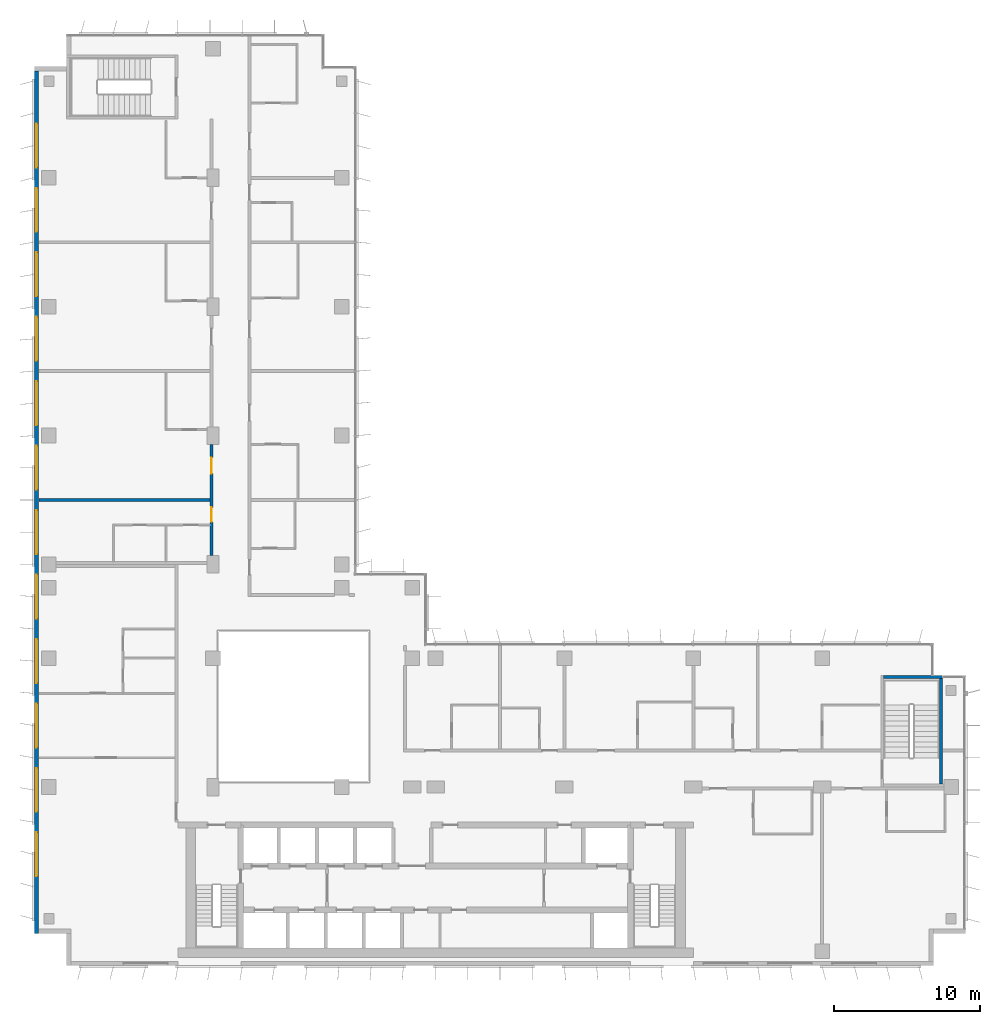
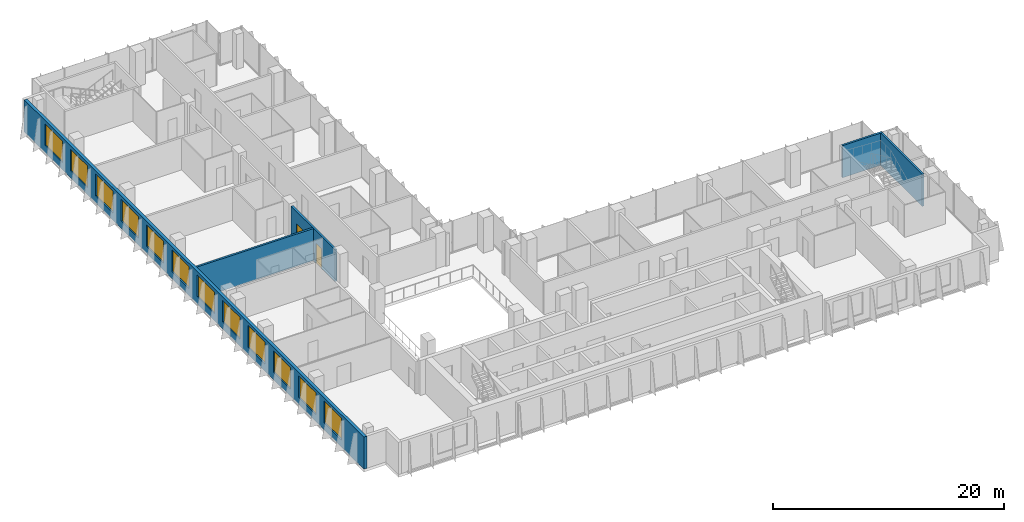
# One storey, part 15 of 20: 12 windows, 5 walls, 2 doors, 14 openings.
"""IFC4 building model written with IfcOpenShell, lengths in metres."""

from ifc_helpers import new_model, si_unit, direction, frame, frame_2d, origin, place, context, subcontext, project, spatial, rectangle, extrude, material, layer, layer_set, type_object, element, fill, save


model = new_model("IFC4")

# Units and contexts
model_context = context("Model", 3, precision=1e-05, world=origin(), true_north=direction((0.0, 1.0)))
body_context = subcontext(model_context, "Body", "Model", "MODEL_VIEW")
ifc_project = project(units=[si_unit("LENGTHUNIT", "METRE"), si_unit("AREAUNIT", "SQUARE_METRE"), si_unit("VOLUMEUNIT", "CUBIC_METRE"), si_unit("PLANEANGLEUNIT", "RADIAN"), si_unit("MASSUNIT", "GRAM", prefix="KILO")], contexts=[model_context])

# Site, building, storey
site_placement = place(None, origin())
site = spatial("IfcSite", under=ifc_project, at=site_placement, CompositionType="ELEMENT")
building_placement = place(site_placement, origin())
building = spatial("IfcBuilding", under=site, at=building_placement, Name="Kemantara Hotel Tower", CompositionType="ELEMENT")
storey_placement = place(building_placement, frame((0.0, 0.0, 186.39990234375)))
storey = spatial("IfcBuildingStorey", under=building, at=storey_placement, Name="L46", CompositionType="ELEMENT", Elevation=186.39990234375)

# Wall, openings, windows
ifc_material_1 = material(Name="Bronze anodised aluminium cladding on insulated steel stud wall", Category="steel")
ifc_layer_1 = layer(ifc_material_1, 0.300048828125)
ifc_layer_set_1 = layer_set([ifc_layer_1], Name="Bronze anodised aluminium cladding on insulated steel stud wall")
wall_type_1 = type_object("IfcWallType", Name="BRONZE METAL-CLAD EXTERNAL WALL 300", PredefinedType="STANDARD", material=ifc_layer_set_1)
wall_1_placement = place(storey_placement, frame((0.14990234375, 61.10009765625, 0.0), z_axis=(0.0, 0.0, 1.0), x_axis=(0.0, -1.0, 0.0)))
wall_1 = element("IfcWall", 1, at=wall_1_placement, inside=storey, type_object=wall_type_1, Name="EXTERNAL WALL L46 T3-R05", PredefinedType="STANDARD", context=body_context, shape_type="SweptSolid", body=[
    extrude(rectangle(XDim=58.900146484375, YDim=0.300048828125, at=frame_2d((29.4501953125, 0.0))), origin(), (0.0, 0.0, 1.0), 3.400146484375),
])
opening_1_placement = place(wall_1_placement, frame((3.60009765625, 0.0, 0.75)))
opening_1 = element("IfcOpeningElement", 2, at=opening_1_placement, cuts=wall_1, Name="Opening W1", PredefinedType="OPENING", context=body_context, shape_type="SweptSolid", body=[
    extrude(rectangle(XDim=3.0, YDim=2.300048828125, at=frame_2d((1.5, 1.14990234375))), frame((0.0, 0.159912109375, 0.0), z_axis=(0.0, -1.0, 0.0), x_axis=(1.0, 0.0, 0.0)), (0.0, 0.0, 1.0), 0.320068359375),
])
opening_2_placement = place(wall_1_placement, frame((8.0, 0.0, 0.75)))
opening_2 = element("IfcOpeningElement", 3, at=opening_2_placement, cuts=wall_1, Name="Opening W1", PredefinedType="OPENING", context=body_context, shape_type="SweptSolid", body=[
    extrude(rectangle(XDim=3.0, YDim=2.300048828125, at=frame_2d((1.5, 1.14990234375))), frame((0.0, 0.159912109375, 0.0), z_axis=(0.0, -1.0, 0.0), x_axis=(1.0, 0.0, 0.0)), (0.0, 0.0, 1.0), 0.320068359375),
])
opening_3_placement = place(wall_1_placement, frame((12.39990234375, 0.0, 0.75)))
opening_3 = element("IfcOpeningElement", 4, at=opening_3_placement, cuts=wall_1, Name="Opening W1", PredefinedType="OPENING", context=body_context, shape_type="SweptSolid", body=[
    extrude(rectangle(XDim=3.0, YDim=2.300048828125, at=frame_2d((1.5, 1.14990234375))), frame((0.0, 0.159912109375, 0.0), z_axis=(0.0, -1.0, 0.0), x_axis=(1.0, 0.0, 0.0)), (0.0, 0.0, 1.0), 0.320068359375),
])
opening_4_placement = place(wall_1_placement, frame((16.800048828125, 0.0, 0.75)))
opening_4 = element("IfcOpeningElement", 5, at=opening_4_placement, cuts=wall_1, Name="Opening W1", PredefinedType="OPENING", context=body_context, shape_type="SweptSolid", body=[
    extrude(rectangle(XDim=3.0, YDim=2.300048828125, at=frame_2d((1.5, 1.14990234375))), frame((0.0, 0.159912109375, 0.0), z_axis=(0.0, -1.0, 0.0), x_axis=(1.0, 0.0, 0.0)), (0.0, 0.0, 1.0), 0.320068359375),
])
opening_5_placement = place(wall_1_placement, frame((21.199951171875, 0.0, 0.75)))
opening_5 = element("IfcOpeningElement", 6, at=opening_5_placement, cuts=wall_1, Name="Opening W1", PredefinedType="OPENING", context=body_context, shape_type="SweptSolid", body=[
    extrude(rectangle(XDim=3.0, YDim=2.300048828125, at=frame_2d((1.5, 1.14990234375))), frame((0.0, 0.159912109375, 0.0), z_axis=(0.0, -1.0, 0.0), x_axis=(1.0, 0.0, 0.0)), (0.0, 0.0, 1.0), 0.320068359375),
])
opening_6_placement = place(wall_1_placement, frame((25.60009765625, 0.0, 0.75)))
opening_6 = element("IfcOpeningElement", 7, at=opening_6_placement, cuts=wall_1, Name="Opening W1", PredefinedType="OPENING", context=body_context, shape_type="SweptSolid", body=[
    extrude(rectangle(XDim=3.0, YDim=2.300048828125, at=frame_2d((1.5, 1.14990234375))), frame((0.0, 0.159912109375, 0.0), z_axis=(0.0, -1.0, 0.0), x_axis=(1.0, 0.0, 0.0)), (0.0, 0.0, 1.0), 0.320068359375),
])
opening_7_placement = place(wall_1_placement, frame((30.0, 0.0, 0.75)))
opening_7 = element("IfcOpeningElement", 8, at=opening_7_placement, cuts=wall_1, Name="Opening W1", PredefinedType="OPENING", context=body_context, shape_type="SweptSolid", body=[
    extrude(rectangle(XDim=3.0, YDim=2.300048828125, at=frame_2d((1.5, 1.14990234375))), frame((0.0, 0.159912109375, 0.0), z_axis=(0.0, -1.0, 0.0), x_axis=(1.0, 0.0, 0.0)), (0.0, 0.0, 1.0), 0.320068359375),
])
opening_8_placement = place(wall_1_placement, frame((34.39990234375, 0.0, 0.75)))
opening_8 = element("IfcOpeningElement", 9, at=opening_8_placement, cuts=wall_1, Name="Opening W1", PredefinedType="OPENING", context=body_context, shape_type="SweptSolid", body=[
    extrude(rectangle(XDim=3.0, YDim=2.300048828125, at=frame_2d((1.5, 1.14990234375))), frame((0.0, 0.159912109375, 0.0), z_axis=(0.0, -1.0, 0.0), x_axis=(1.0, 0.0, 0.0)), (0.0, 0.0, 1.0), 0.320068359375),
])
opening_9_placement = place(wall_1_placement, frame((38.800048828125, 0.0, 0.75)))
opening_9 = element("IfcOpeningElement", 10, at=opening_9_placement, cuts=wall_1, Name="Opening W1", PredefinedType="OPENING", context=body_context, shape_type="SweptSolid", body=[
    extrude(rectangle(XDim=3.0, YDim=2.300048828125, at=frame_2d((1.5, 1.14990234375))), frame((0.0, 0.159912109375, 0.0), z_axis=(0.0, -1.0, 0.0), x_axis=(1.0, 0.0, 0.0)), (0.0, 0.0, 1.0), 0.320068359375),
])
opening_10_placement = place(wall_1_placement, frame((43.199951171875, 0.0, 0.75)))
opening_10 = element("IfcOpeningElement", 11, at=opening_10_placement, cuts=wall_1, Name="Opening W1", PredefinedType="OPENING", context=body_context, shape_type="SweptSolid", body=[
    extrude(rectangle(XDim=3.0, YDim=2.300048828125, at=frame_2d((1.5, 1.14990234375))), frame((0.0, 0.159912109375, 0.0), z_axis=(0.0, -1.0, 0.0), x_axis=(1.0, 0.0, 0.0)), (0.0, 0.0, 1.0), 0.320068359375),
])
opening_11_placement = place(wall_1_placement, frame((47.60009765625, 0.0, 0.75)))
opening_11 = element("IfcOpeningElement", 12, at=opening_11_placement, cuts=wall_1, Name="Opening W1", PredefinedType="OPENING", context=body_context, shape_type="SweptSolid", body=[
    extrude(rectangle(XDim=3.0, YDim=2.300048828125, at=frame_2d((1.5, 1.14990234375))), frame((0.0, 0.159912109375, 0.0), z_axis=(0.0, -1.0, 0.0), x_axis=(1.0, 0.0, 0.0)), (0.0, 0.0, 1.0), 0.320068359375),
])
opening_12_placement = place(wall_1_placement, frame((52.0, 0.0, 0.75)))
opening_12 = element("IfcOpeningElement", 13, at=opening_12_placement, cuts=wall_1, Name="Opening W1", PredefinedType="OPENING", context=body_context, shape_type="SweptSolid", body=[
    extrude(rectangle(XDim=3.0, YDim=2.300048828125, at=frame_2d((1.5, 1.14990234375))), frame((0.0, 0.159912109375, 0.0), z_axis=(0.0, -1.0, 0.0), x_axis=(1.0, 0.0, 0.0)), (0.0, 0.0, 1.0), 0.320068359375),
])
ifc_material_2 = material(Name="Low-E tinted double insulated glass in bronze anodised aluminium frame", Category="aluminium")
window_type = type_object("IfcWindowType", Name="CHICAGO WINDOW, TRIPLE PANEL 3000x2300", PartitioningType="TRIPLE_PANEL_VERTICAL", PredefinedType="WINDOW", material=ifc_material_2)
window_1_placement = place(opening_1_placement, origin())
window_1 = element("IfcWindow", 14, at=window_1_placement, inside=storey, type_object=window_type, Name="CHICAGO WINDOW L46 T3-R05-54", OverallHeight=2.300048828125, OverallWidth=3.0, PartitioningType="SINGLE_PANEL", PredefinedType="WINDOW", context=body_context, shape_type="SweptSolid", body=[
    extrude(rectangle(XDim=3.0, YDim=2.300048828125, at=frame_2d((1.5, 1.14990234375))), frame((0.0, 0.030029296875, 0.0), z_axis=(0.0, -1.0, 0.0), x_axis=(1.0, 0.0, 0.0)), (0.0, 0.0, 1.0), 0.06005859375),
])
fill(opening_1, window_1)
window_2_placement = place(opening_2_placement, origin())
window_2 = element("IfcWindow", 15, at=window_2_placement, inside=storey, type_object=window_type, Name="CHICAGO WINDOW L46 T3-R05-98", OverallHeight=2.300048828125, OverallWidth=3.0, PartitioningType="SINGLE_PANEL", PredefinedType="WINDOW", context=body_context, shape_type="SweptSolid", body=[
    extrude(rectangle(XDim=3.0, YDim=2.300048828125, at=frame_2d((1.5, 1.14990234375))), frame((0.0, 0.030029296875, 0.0), z_axis=(0.0, -1.0, 0.0), x_axis=(1.0, 0.0, 0.0)), (0.0, 0.0, 1.0), 0.06005859375),
])
fill(opening_2, window_2)
window_3_placement = place(opening_3_placement, origin())
window_3 = element("IfcWindow", 16, at=window_3_placement, inside=storey, type_object=window_type, Name="CHICAGO WINDOW L46 T3-R05-142", OverallHeight=2.300048828125, OverallWidth=3.0, PartitioningType="SINGLE_PANEL", PredefinedType="WINDOW", context=body_context, shape_type="SweptSolid", body=[
    extrude(rectangle(XDim=3.0, YDim=2.300048828125, at=frame_2d((1.5, 1.14990234375))), frame((0.0, 0.030029296875, 0.0), z_axis=(0.0, -1.0, 0.0), x_axis=(1.0, 0.0, 0.0)), (0.0, 0.0, 1.0), 0.06005859375),
])
fill(opening_3, window_3)
window_4_placement = place(opening_4_placement, origin())
window_4 = element("IfcWindow", 17, at=window_4_placement, inside=storey, type_object=window_type, Name="CHICAGO WINDOW L46 T3-R05-186", OverallHeight=2.300048828125, OverallWidth=3.0, PartitioningType="SINGLE_PANEL", PredefinedType="WINDOW", context=body_context, shape_type="SweptSolid", body=[
    extrude(rectangle(XDim=3.0, YDim=2.300048828125, at=frame_2d((1.5, 1.14990234375))), frame((0.0, 0.030029296875, 0.0), z_axis=(0.0, -1.0, 0.0), x_axis=(1.0, 0.0, 0.0)), (0.0, 0.0, 1.0), 0.06005859375),
])
fill(opening_4, window_4)
window_5_placement = place(opening_5_placement, origin())
window_5 = element("IfcWindow", 18, at=window_5_placement, inside=storey, type_object=window_type, Name="CHICAGO WINDOW L46 T3-R05-230", OverallHeight=2.300048828125, OverallWidth=3.0, PartitioningType="SINGLE_PANEL", PredefinedType="WINDOW", context=body_context, shape_type="SweptSolid", body=[
    extrude(rectangle(XDim=3.0, YDim=2.300048828125, at=frame_2d((1.5, 1.14990234375))), frame((0.0, 0.030029296875, 0.0), z_axis=(0.0, -1.0, 0.0), x_axis=(1.0, 0.0, 0.0)), (0.0, 0.0, 1.0), 0.06005859375),
])
fill(opening_5, window_5)
window_6_placement = place(opening_6_placement, origin())
window_6 = element("IfcWindow", 19, at=window_6_placement, inside=storey, type_object=window_type, Name="CHICAGO WINDOW L46 T3-R05-274", OverallHeight=2.300048828125, OverallWidth=3.0, PartitioningType="SINGLE_PANEL", PredefinedType="WINDOW", context=body_context, shape_type="SweptSolid", body=[
    extrude(rectangle(XDim=3.0, YDim=2.300048828125, at=frame_2d((1.5, 1.14990234375))), frame((0.0, 0.030029296875, 0.0), z_axis=(0.0, -1.0, 0.0), x_axis=(1.0, 0.0, 0.0)), (0.0, 0.0, 1.0), 0.06005859375),
])
fill(opening_6, window_6)
window_7_placement = place(opening_7_placement, origin())
window_7 = element("IfcWindow", 20, at=window_7_placement, inside=storey, type_object=window_type, Name="CHICAGO WINDOW L46 T3-R05-318", OverallHeight=2.300048828125, OverallWidth=3.0, PartitioningType="SINGLE_PANEL", PredefinedType="WINDOW", context=body_context, shape_type="SweptSolid", body=[
    extrude(rectangle(XDim=3.0, YDim=2.300048828125, at=frame_2d((1.5, 1.14990234375))), frame((0.0, 0.030029296875, 0.0), z_axis=(0.0, -1.0, 0.0), x_axis=(1.0, 0.0, 0.0)), (0.0, 0.0, 1.0), 0.06005859375),
])
fill(opening_7, window_7)
window_8_placement = place(opening_8_placement, origin())
window_8 = element("IfcWindow", 21, at=window_8_placement, inside=storey, type_object=window_type, Name="CHICAGO WINDOW L46 T3-R05-362", OverallHeight=2.300048828125, OverallWidth=3.0, PartitioningType="SINGLE_PANEL", PredefinedType="WINDOW", context=body_context, shape_type="SweptSolid", body=[
    extrude(rectangle(XDim=3.0, YDim=2.300048828125, at=frame_2d((1.5, 1.14990234375))), frame((0.0, 0.030029296875, 0.0), z_axis=(0.0, -1.0, 0.0), x_axis=(1.0, 0.0, 0.0)), (0.0, 0.0, 1.0), 0.06005859375),
])
fill(opening_8, window_8)
window_9_placement = place(opening_9_placement, origin())
window_9 = element("IfcWindow", 22, at=window_9_placement, inside=storey, type_object=window_type, Name="CHICAGO WINDOW L46 T3-R05-406", OverallHeight=2.300048828125, OverallWidth=3.0, PartitioningType="SINGLE_PANEL", PredefinedType="WINDOW", context=body_context, shape_type="SweptSolid", body=[
    extrude(rectangle(XDim=3.0, YDim=2.300048828125, at=frame_2d((1.5, 1.14990234375))), frame((0.0, 0.030029296875, 0.0), z_axis=(0.0, -1.0, 0.0), x_axis=(1.0, 0.0, 0.0)), (0.0, 0.0, 1.0), 0.06005859375),
])
fill(opening_9, window_9)
window_10_placement = place(opening_10_placement, origin())
window_10 = element("IfcWindow", 23, at=window_10_placement, inside=storey, type_object=window_type, Name="CHICAGO WINDOW L46 T3-R05-450", OverallHeight=2.300048828125, OverallWidth=3.0, PartitioningType="SINGLE_PANEL", PredefinedType="WINDOW", context=body_context, shape_type="SweptSolid", body=[
    extrude(rectangle(XDim=3.0, YDim=2.300048828125, at=frame_2d((1.5, 1.14990234375))), frame((0.0, 0.030029296875, 0.0), z_axis=(0.0, -1.0, 0.0), x_axis=(1.0, 0.0, 0.0)), (0.0, 0.0, 1.0), 0.06005859375),
])
fill(opening_10, window_10)
window_11_placement = place(opening_11_placement, origin())
window_11 = element("IfcWindow", 24, at=window_11_placement, inside=storey, type_object=window_type, Name="CHICAGO WINDOW L46 T3-R05-494", OverallHeight=2.300048828125, OverallWidth=3.0, PartitioningType="SINGLE_PANEL", PredefinedType="WINDOW", context=body_context, shape_type="SweptSolid", body=[
    extrude(rectangle(XDim=3.0, YDim=2.300048828125, at=frame_2d((1.5, 1.14990234375))), frame((0.0, 0.030029296875, 0.0), z_axis=(0.0, -1.0, 0.0), x_axis=(1.0, 0.0, 0.0)), (0.0, 0.0, 1.0), 0.06005859375),
])
fill(opening_11, window_11)
window_12_placement = place(opening_12_placement, origin())
window_12 = element("IfcWindow", 25, at=window_12_placement, inside=storey, type_object=window_type, Name="CHICAGO WINDOW L46 T3-R05-538", OverallHeight=2.300048828125, OverallWidth=3.0, PartitioningType="SINGLE_PANEL", PredefinedType="WINDOW", context=body_context, shape_type="SweptSolid", body=[
    extrude(rectangle(XDim=3.0, YDim=2.300048828125, at=frame_2d((1.5, 1.14990234375))), frame((0.0, 0.030029296875, 0.0), z_axis=(0.0, -1.0, 0.0), x_axis=(1.0, 0.0, 0.0)), (0.0, 0.0, 1.0), 0.06005859375),
])
fill(opening_12, window_12)

# Wall, openings, doors
ifc_material_3 = material(Name="Gypsum board partition, steel studs and mineral wool, 200 mm", Category="steel")
ifc_layer_2 = layer(ifc_material_3, 0.199951171875)
ifc_layer_set_2 = layer_set([ifc_layer_2], Name="Gypsum board partition, steel studs and mineral wool, 200 mm")
wall_type_2 = type_object("IfcWallType", Name="CORRIDOR WALL 200", PredefinedType="PARTITIONING", material=ifc_layer_set_2)
wall_2_placement = place(storey_placement, frame((12.10009765625, 28.0, 0.0), z_axis=(0.0, 0.0, 1.0), x_axis=(0.0, 1.0, 0.0)))
wall_2 = element("IfcWall", 26, at=wall_2_placement, inside=storey, type_object=wall_type_2, Name="CORRIDOR WALL 200 014", PredefinedType="PARTITIONING", context=body_context, shape_type="SweptSolid", body=[
    extrude(rectangle(XDim=7.599853515625, YDim=0.199951171875, at=frame_2d((3.7998046875, 0.0))), origin(), (0.0, 0.0, 1.0), 3.400146484375),
])
opening_13_placement = place(wall_2_placement, frame((2.2998046875, 0.0, 0.0)))
opening_13 = element("IfcOpeningElement", 27, at=opening_13_placement, cuts=wall_2, Name="Opening F22-020", PredefinedType="OPENING", context=body_context, shape_type="SweptSolid", body=[
    extrude(rectangle(XDim=1.0, YDim=2.10009765625, at=frame_2d((0.5, 1.050048828125))), frame((0.0, 0.10986328125, 0.0), z_axis=(0.0, -1.0, 0.0), x_axis=(1.0, 0.0, 0.0)), (0.0, 0.0, 1.0), 0.219970703125),
])
opening_14_placement = place(wall_2_placement, frame((5.599853515625, 0.0, 0.0)))
opening_14 = element("IfcOpeningElement", 28, at=opening_14_placement, cuts=wall_2, Name="Opening F22-023", PredefinedType="OPENING", context=body_context, shape_type="SweptSolid", body=[
    extrude(rectangle(XDim=1.10009765625, YDim=2.10009765625, at=frame_2d((0.550048828125, 1.050048828125))), frame((0.0, 0.10986328125, 0.0), z_axis=(0.0, -1.0, 0.0), x_axis=(1.0, 0.0, 0.0)), (0.0, 0.0, 1.0), 0.219970703125),
])
ifc_material_4 = material(Name="Hardwood veneer door leaf with steel frame", Category="steel")
door_type_1 = type_object("IfcDoorType", Name="GUEST ROOM DOOR 1000 X 2100 FD30S", OperationType="NOTDEFINED", PredefinedType="DOOR", material=ifc_material_4)
door_1_placement = place(opening_13_placement, origin())
door_1 = element("IfcDoor", 29, at=door_1_placement, inside=storey, type_object=door_type_1, Name="GUEST ROOM DOOR F22-020", OperationType="SINGLE_SWING_RIGHT", OverallHeight=2.10009765625, OverallWidth=1.0, PredefinedType="DOOR", context=body_context, shape_type="SweptSolid", body=[
    extrude(rectangle(XDim=1.0, YDim=2.10009765625, at=frame_2d((0.5, 1.050048828125))), frame((0.0, 0.02490234375, 0.0), z_axis=(0.0, -1.0, 0.0), x_axis=(1.0, 0.0, 0.0)), (0.0, 0.0, 1.0), 0.050048828125),
])
fill(opening_13, door_1)
door_type_2 = type_object("IfcDoorType", Name="SUITE ENTRANCE DOOR 1100 X 2100 FD30S", OperationType="NOTDEFINED", PredefinedType="DOOR", material=ifc_material_4)
door_2_placement = place(opening_14_placement, origin())
door_2 = element("IfcDoor", 30, at=door_2_placement, inside=storey, type_object=door_type_2, Name="SUITE ENTRANCE DOOR F22-023", OperationType="SINGLE_SWING_LEFT", OverallHeight=2.10009765625, OverallWidth=1.10009765625, PredefinedType="DOOR", context=body_context, shape_type="SweptSolid", body=[
    extrude(rectangle(XDim=1.10009765625, YDim=2.10009765625, at=frame_2d((0.550048828125, 1.050048828125))), frame((0.0, 0.02490234375, 0.0), z_axis=(0.0, -1.0, 0.0), x_axis=(1.0, 0.0, 0.0)), (0.0, 0.0, 1.0), 0.050048828125),
])
fill(opening_14, door_2)

# Walls
ifc_material_5 = material(Name="Concrete fc 40 MPa", Category="concrete")
ifc_layer_3 = layer(ifc_material_5, 0.199951171875)
ifc_layer_set_3 = layer_set([ifc_layer_3], Name="Concrete fc 40 MPa")
wall_type_3 = type_object("IfcWallType", Name="Concrete stair wall 200 mm", PredefinedType="SHEAR", material=ifc_layer_set_3)
wall_3_placement = place(storey_placement, frame((58.0, 19.699951171875, 0.0), z_axis=(0.0, 0.0, 1.0), x_axis=(1.0, 0.0, 0.0)))
element("IfcWall", 31, at=wall_3_placement, inside=storey, type_object=wall_type_3, Name="Stair ST3 enclosure wall N", PredefinedType="SHEAR", context=body_context, shape_type="SweptSolid", body=[
    extrude(rectangle(XDim=4.0, YDim=0.199951171875, at=frame_2d((2.0, 0.0))), origin(), (0.0, 0.0, 1.0), 3.400146484375),
])
wall_4_placement = place(storey_placement, frame((61.89990234375, 12.39990234375, 0.0), z_axis=(0.0, 0.0, 1.0), x_axis=(0.0, 1.0, 0.0)))
element("IfcWall", 32, at=wall_4_placement, inside=storey, type_object=wall_type_3, Name="Stair ST3 enclosure wall E", PredefinedType="SHEAR", context=body_context, shape_type="SweptSolid", body=[
    extrude(rectangle(XDim=7.2001953125, YDim=0.199951171875, at=frame_2d((3.60009765625, 0.0))), origin(), (0.0, 0.0, 1.0), 3.400146484375),
])
ifc_layer_4 = layer(ifc_material_3, 0.199951171875)
ifc_layer_set_4 = layer_set([ifc_layer_4], Name="Gypsum board partition, steel studs and mineral wool, 200 mm")
wall_type_4 = type_object("IfcWallType", Name="GUEST ROOM PARTY WALL 200", PredefinedType="PARTITIONING", material=ifc_layer_set_4)
wall_5_placement = place(storey_placement, frame((0.31005859375, 31.800048828125, 0.0), z_axis=(0.0, 0.0, 1.0), x_axis=(1.0, 0.0, 0.0)))
element("IfcWall", 33, at=wall_5_placement, inside=storey, type_object=wall_type_4, Name="GUEST ROOM PARTY WALL 200 019", PredefinedType="PARTITIONING", context=body_context, shape_type="SweptSolid", body=[
    extrude(rectangle(XDim=11.68994140625, YDim=0.199951171875, at=frame_2d((5.844970703125, 0.0))), origin(), (0.0, 0.0, 1.0), 3.400146484375),
])

save(model, "model.ifc")
